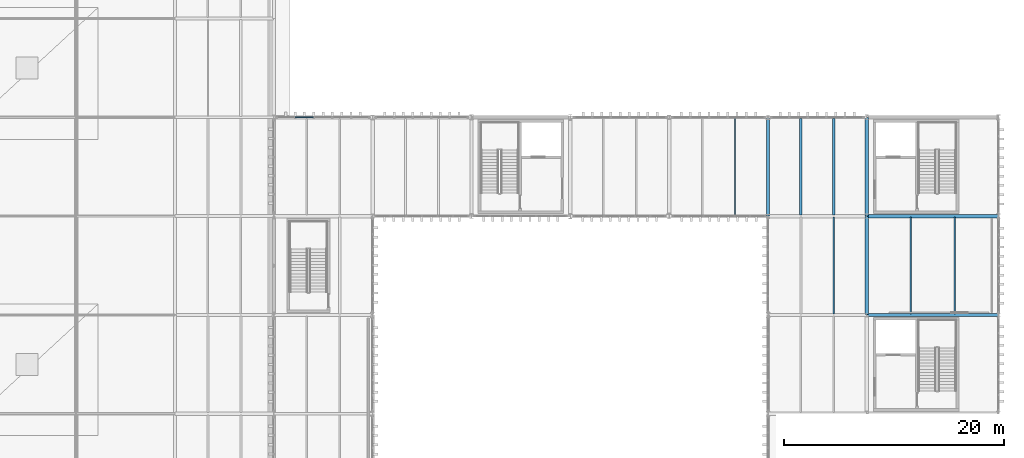
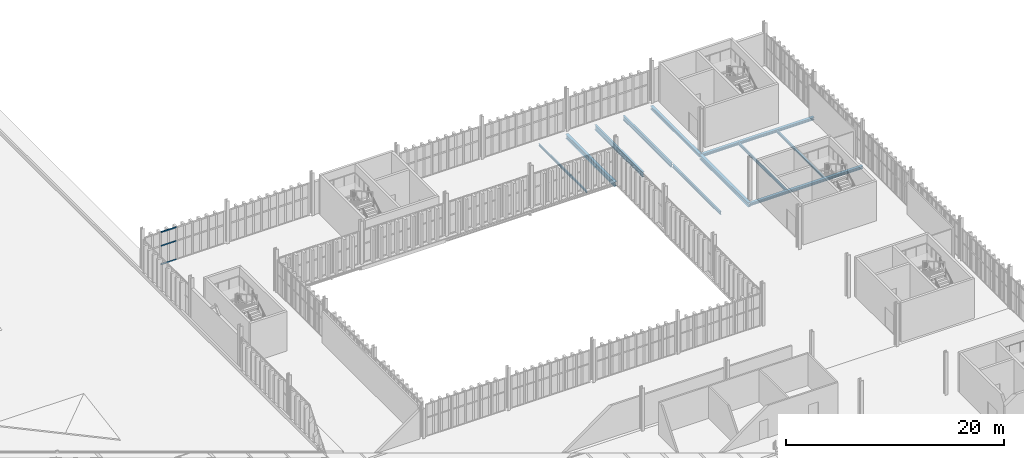
# One storey, part 144 of 196: 11 beams, 3 members, 1 element without a shape of its own.
"""IFC4 building model written with IfcOpenShell, lengths in metres."""

from ifc_helpers import new_model, si_unit, direction, frame, origin, origin_2d, place, context, subcontext, project, spatial, hollow_rectangle, i_section, extrude, material, layer, layer_set, material_profile, profile_set, type_object, element, aggregate, save


model = new_model("IFC4")

# Units and contexts
model_context = context("Model", 3, precision=1e-05, world=origin(), true_north=direction((0.0, 1.0)))
body_context = subcontext(model_context, "Body", "Model", "MODEL_VIEW")
ifc_project = project(units=[si_unit("LENGTHUNIT", "METRE"), si_unit("AREAUNIT", "SQUARE_METRE"), si_unit("VOLUMEUNIT", "CUBIC_METRE"), si_unit("PLANEANGLEUNIT", "RADIAN"), si_unit("MASSUNIT", "GRAM", prefix="KILO")], contexts=[model_context])

# Site, building, storey
site_placement = place(None, origin())
site = spatial("IfcSite", under=ifc_project, at=site_placement, CompositionType="ELEMENT")
building_placement = place(site_placement, origin())
building = spatial("IfcBuilding", under=site, at=building_placement, Name="Barlavento Convention Centre", CompositionType="ELEMENT")
storey_placement = place(building_placement, frame((0.0, 0.0, 18.0)))
storey = spatial("IfcBuildingStorey", under=building, at=storey_placement, Name="L03", CompositionType="ELEMENT", Elevation=18.0)

# Curtain wall, members
ifc_material_1 = material(Name="Powder-coated aluminium and Low-E glass", Category="aluminium")
ifc_layer = layer(ifc_material_1, 0.179931640625)
ifc_layer_set = layer_set([ifc_layer], Name="ARC-CW-CONF-L03")
curtain_wall_type = type_object("IfcCurtainWallType", Name="ARC-CW-CONF-L03", PredefinedType="NOTDEFINED", material=ifc_layer_set)
curtain_wall_placement = place(storey_placement, origin())
curtain_wall = element("IfcCurtainWall", 1, at=curtain_wall_placement, inside=storey, type_object=curtain_wall_type, Name="L03 unitised curtain wall CW08", PredefinedType="NOTDEFINED")
ifc_material_2 = material(Name="Powder-coated aluminium", Category="aluminium")
ifc_material_profile_1 = material_profile(ifc_material_2, hollow_rectangle(XDim=0.06005859375, YDim=0.139892578125, WallThickness=0.00390625, at=origin_2d()), Name="AL-TRAN 60x140x4")
ifc_profile_set_1 = profile_set([ifc_material_profile_1], Name="Powder-coated aluminium")
member_type = type_object("IfcMemberType", Name="ARC-CWT-60X140", PredefinedType="USERDEFINED", material=ifc_profile_set_1)
member_1_placement = place(storey_placement, frame((127.968017578125, 99.0, 0.030029296875), z_axis=(1.0, 0.0, 0.0), x_axis=(0.0, 1.0, 0.0)))
member_1 = element("IfcMember", 2, at=member_1_placement, type_object=member_type, Name="CW08 transom 2.1", ObjectType="TRANSOM", PredefinedType="USERDEFINED", context=body_context, shape_type="SweptSolid", body=[
    extrude(hollow_rectangle(XDim=0.06005859375, YDim=0.139892578125, WallThickness=0.00390625, at=origin_2d()), origin(), (0.0, 0.0, 1.0), 1.637939453125),
])
member_2_placement = place(storey_placement, frame((127.968017578125, 99.0, 2.10009765625), z_axis=(1.0, 0.0, 0.0), x_axis=(0.0, 1.0, 0.0)))
member_2 = element("IfcMember", 3, at=member_2_placement, type_object=member_type, Name="CW08 transom 2.2", ObjectType="TRANSOM", PredefinedType="USERDEFINED", context=body_context, shape_type="SweptSolid", body=[
    extrude(hollow_rectangle(XDim=0.06005859375, YDim=0.139892578125, WallThickness=0.00390625, at=origin_2d()), origin(), (0.0, 0.0, 1.0), 1.637939453125),
])
member_3_placement = place(storey_placement, frame((127.968017578125, 99.0, 3.6201171875), z_axis=(1.0, 0.0, 0.0), x_axis=(0.0, 1.0, 0.0)))
member_3 = element("IfcMember", 4, at=member_3_placement, type_object=member_type, Name="CW08 transom 2.3", ObjectType="TRANSOM", PredefinedType="USERDEFINED", context=body_context, shape_type="SweptSolid", body=[
    extrude(hollow_rectangle(XDim=0.06005859375, YDim=0.139892578125, WallThickness=0.00390625, at=origin_2d()), origin(), (0.0, 0.0, 1.0), 1.637939453125),
])
aggregate(curtain_wall, [member_1, member_2, member_3])

# Beams
ifc_material_3 = material(Name="Steel S355", Category="steel")
ifc_material_profile_2 = material_profile(ifc_material_3, i_section(OverallWidth=0.1201171875, OverallDepth=0.239990234375, WebThickness=0.006103515625, FlangeThickness=0.009765625, FilletRadius=0.014892578125, at=origin_2d()), Name="IPE 240")
ifc_profile_set_2 = profile_set([ifc_material_profile_2], Name="Steel S355")
beam_type_1 = type_object("IfcBeamType", Name="STR-BM-JST-IPE240", PredefinedType="JOIST", material=ifc_profile_set_2)
beam_1_placement = place(storey_placement, frame((168.0, 90.094970703125, -0.47998046875), z_axis=(0.0, 1.0, 0.0), x_axis=(-1.0, 0.0, 0.0)))
element("IfcBeam", 5, at=beam_1_placement, inside=storey, type_object=beam_type_1, Name="L03 composite floor joist SJ09", PredefinedType="JOIST", context=body_context, shape_type="SweptSolid", body=[
    extrude(i_section(OverallWidth=0.1201171875, OverallDepth=0.239990234375, WebThickness=0.006103515625, FlangeThickness=0.009765625, FilletRadius=0.014892578125, at=origin_2d()), origin(), (0.0, 0.0, 1.0), 8.81005859375),
])
ifc_material_profile_3 = material_profile(ifc_material_3, i_section(OverallWidth=0.135009765625, OverallDepth=0.27001953125, WebThickness=0.006591796875, FlangeThickness=0.01025390625, FilletRadius=0.014892578125, at=origin_2d()), Name="IPE 270")
ifc_profile_set_3 = profile_set([ifc_material_profile_3], Name="Steel S355")
beam_type_2 = type_object("IfcBeamType", Name="STR-BM-JST-IPE270", PredefinedType="JOIST", material=ifc_profile_set_3)
beam_2_placement = place(storey_placement, frame((188.0, 81.094970703125, -0.4951171875), z_axis=(0.0, 1.0, 0.0), x_axis=(-1.0, 0.0, 0.0)))
element("IfcBeam", 6, at=beam_2_placement, inside=storey, type_object=beam_type_2, Name="L03 composite floor joist SJ08", PredefinedType="JOIST", context=body_context, shape_type="SweptSolid", body=[
    extrude(i_section(OverallWidth=0.135009765625, OverallDepth=0.27001953125, WebThickness=0.006591796875, FlangeThickness=0.01025390625, FilletRadius=0.014892578125, at=origin_2d()), origin(), (0.0, 0.0, 1.0), 8.81005859375),
])
ifc_material_profile_4 = material_profile(ifc_material_3, i_section(OverallWidth=0.14990234375, OverallDepth=0.300048828125, WebThickness=0.007080078125, FlangeThickness=0.0107421875, FilletRadius=0.014892578125, at=origin_2d()), Name="IPE 300")
ifc_profile_set_4 = profile_set([ifc_material_profile_4], Name="Steel S355")
beam_type_3 = type_object("IfcBeamType", Name="STR-BM-JST-IPE300", PredefinedType="JOIST", material=ifc_profile_set_4)
beam_3_placement = place(storey_placement, frame((184.0, 81.094970703125, -0.510009765625), z_axis=(0.0, 1.0, 0.0), x_axis=(-1.0, 0.0, 0.0)))
element("IfcBeam", 7, at=beam_3_placement, inside=storey, type_object=beam_type_3, Name="L03 composite floor joist SJ07", PredefinedType="JOIST", context=body_context, shape_type="SweptSolid", body=[
    extrude(i_section(OverallWidth=0.14990234375, OverallDepth=0.300048828125, WebThickness=0.007080078125, FlangeThickness=0.0107421875, FilletRadius=0.014892578125, at=origin_2d()), origin(), (0.0, 0.0, 1.0), 8.81005859375),
])
ifc_material_profile_5 = material_profile(ifc_material_3, i_section(OverallWidth=0.169921875, OverallDepth=0.360107421875, WebThickness=0.008056640625, FlangeThickness=0.0126953125, FilletRadius=0.01806640625, at=origin_2d()), Name="IPE 360")
ifc_profile_set_5 = profile_set([ifc_material_profile_5], Name="Steel S355")
beam_type_4 = type_object("IfcBeamType", Name="STR-BM-JST-IPE360", PredefinedType="JOIST", material=ifc_profile_set_5)
beam_4_placement = place(storey_placement, frame((177.0, 81.094970703125, -0.5400390625), z_axis=(0.0, 1.0, 0.0), x_axis=(-1.0, 0.0, 0.0)))
element("IfcBeam", 8, at=beam_4_placement, inside=storey, type_object=beam_type_4, Name="L03 composite floor joist SJ05", PredefinedType="JOIST", context=body_context, shape_type="SweptSolid", body=[
    extrude(i_section(OverallWidth=0.169921875, OverallDepth=0.360107421875, WebThickness=0.008056640625, FlangeThickness=0.0126953125, FilletRadius=0.01806640625, at=origin_2d()), origin(), (0.0, 0.0, 1.0), 8.81005859375),
])
ifc_material_profile_6 = material_profile(ifc_material_3, i_section(OverallWidth=0.199951171875, OverallDepth=0.5, WebThickness=0.01025390625, FlangeThickness=0.01611328125, FilletRadius=0.02099609375, at=origin_2d()), Name="IPE 500")
ifc_profile_set_6 = profile_set([ifc_material_profile_6], Name="Steel S355")
beam_type_5 = type_object("IfcBeamType", Name="STR-BM-JST-IPE500", PredefinedType="JOIST", material=ifc_profile_set_6)
beam_5_placement = place(storey_placement, frame((177.0, 90.094970703125, -0.610107421875), z_axis=(0.0, 1.0, 0.0), x_axis=(-1.0, 0.0, 0.0)))
element("IfcBeam", 9, at=beam_5_placement, inside=storey, type_object=beam_type_5, Name="L03 composite floor joist SJ02", PredefinedType="JOIST", context=body_context, shape_type="SweptSolid", body=[
    extrude(i_section(OverallWidth=0.199951171875, OverallDepth=0.5, WebThickness=0.01025390625, FlangeThickness=0.01611328125, FilletRadius=0.02099609375, at=origin_2d()), origin(), (0.0, 0.0, 1.0), 8.81005859375),
])
ifc_material_profile_7 = material_profile(ifc_material_3, i_section(OverallWidth=0.2099609375, OverallDepth=0.550048828125, WebThickness=0.010986328125, FlangeThickness=0.01708984375, FilletRadius=0.02392578125, at=origin_2d()), Name="IPE 550")
ifc_profile_set_7 = profile_set([ifc_material_profile_7], Name="Steel S355")
beam_type_6 = type_object("IfcBeamType", Name="STR-BM-JST-IPE550", PredefinedType="JOIST", material=ifc_profile_set_7)
beam_6_placement = place(storey_placement, frame((174.0, 90.094970703125, -0.635009765625), z_axis=(0.0, 1.0, 0.0), x_axis=(-1.0, 0.0, 0.0)))
element("IfcBeam", 10, at=beam_6_placement, inside=storey, type_object=beam_type_6, Name="L03 composite floor joist SJ01", PredefinedType="JOIST", context=body_context, shape_type="SweptSolid", body=[
    extrude(i_section(OverallWidth=0.2099609375, OverallDepth=0.550048828125, WebThickness=0.010986328125, FlangeThickness=0.01708984375, FilletRadius=0.02392578125, at=origin_2d()), origin(), (0.0, 0.0, 1.0), 8.81005859375),
])
ifc_material_profile_8 = material_profile(ifc_material_3, i_section(OverallWidth=0.300048828125, OverallDepth=0.35009765625, WebThickness=0.010009765625, FlangeThickness=0.017578125, FilletRadius=0.027099609375, at=origin_2d()), Name="HEA 360")
ifc_profile_set_8 = profile_set([ifc_material_profile_8], Name="Steel S355")
beam_type_7 = type_object("IfcBeamType", Name="STR-BM-PRI-HEA360", PredefinedType="BEAM", material=ifc_profile_set_8)
beam_7_placement = place(storey_placement, frame((180.0, 90.02001953125, -0.534912109375), z_axis=(0.0, 1.0, 0.0), x_axis=(-1.0, 0.0, 0.0)))
element("IfcBeam", 11, at=beam_7_placement, inside=storey, type_object=beam_type_7, Name="L03 grid girder BG23", PredefinedType="BEAM", context=body_context, shape_type="SweptSolid", body=[
    extrude(i_section(OverallWidth=0.300048828125, OverallDepth=0.35009765625, WebThickness=0.010009765625, FlangeThickness=0.017578125, FilletRadius=0.027099609375, at=origin_2d()), origin(), (0.0, 0.0, 1.0), 8.9599609375),
])
ifc_material_profile_9 = material_profile(ifc_material_3, i_section(OverallWidth=0.300048828125, OverallDepth=0.489990234375, WebThickness=0.011962890625, FlangeThickness=0.02294921875, FilletRadius=0.027099609375, at=origin_2d()), Name="HEA 500")
ifc_profile_set_9 = profile_set([ifc_material_profile_9], Name="Steel S355")
beam_type_8 = type_object("IfcBeamType", Name="STR-BM-PRI-HEA500", PredefinedType="BEAM", material=ifc_profile_set_9)
for number, where, z_axis, x_axis, name in (
    (12, (180.0, 81.02001953125, -0.60498046875), (0.0, 1.0, 0.0), (-1.0, 0.0, 0.0), "L03 grid girder BG20"),
    (13, (171.0, 90.02001953125, -0.60498046875), (0.0, 1.0, 0.0), (-1.0, 0.0, 0.0), "L03 grid girder BG20"),
):
    element("IfcBeam", number, at=place(storey_placement, frame(where, z_axis=z_axis, x_axis=x_axis)), inside=storey, type_object=beam_type_8, Name=name, PredefinedType="BEAM", context=body_context, shape_type="SweptSolid", body=[
        extrude(i_section(OverallWidth=0.300048828125, OverallDepth=0.489990234375, WebThickness=0.011962890625, FlangeThickness=0.02294921875, FilletRadius=0.027099609375, at=origin_2d()), origin(), (0.0, 0.0, 1.0), 8.9599609375),
    ])
ifc_material_profile_10 = material_profile(ifc_material_3, i_section(OverallWidth=0.300048828125, OverallDepth=0.300048828125, WebThickness=0.010986328125, FlangeThickness=0.01904296875, FilletRadius=0.027099609375, at=origin_2d()), Name="HEB 300")
ifc_profile_set_10 = profile_set([ifc_material_profile_10], Name="Steel S355")
beam_type_9 = type_object("IfcBeamType", Name="STR-BM-PRI-HEB300", PredefinedType="BEAM", material=ifc_profile_set_10)
for number, where, z_axis, x_axis, name in (
    (14, (180.02001953125, 81.0, -0.510009765625), (1.0, 0.0, 0.0), (0.0, 1.0, 0.0), "L03 primary girder BG14"),
    (15, (180.02001953125, 90.0, -0.510009765625), (1.0, 0.0, 0.0), (0.0, 1.0, 0.0), "L03 primary girder BG14"),
):
    element("IfcBeam", number, at=place(storey_placement, frame(where, z_axis=z_axis, x_axis=x_axis)), inside=storey, type_object=beam_type_9, Name=name, PredefinedType="BEAM", context=body_context, shape_type="SweptSolid", body=[
        extrude(i_section(OverallWidth=0.300048828125, OverallDepth=0.300048828125, WebThickness=0.010986328125, FlangeThickness=0.01904296875, FilletRadius=0.027099609375, at=origin_2d()), origin(), (0.0, 0.0, 1.0), 11.9599609375),
    ])

save(model, "model.ifc")
